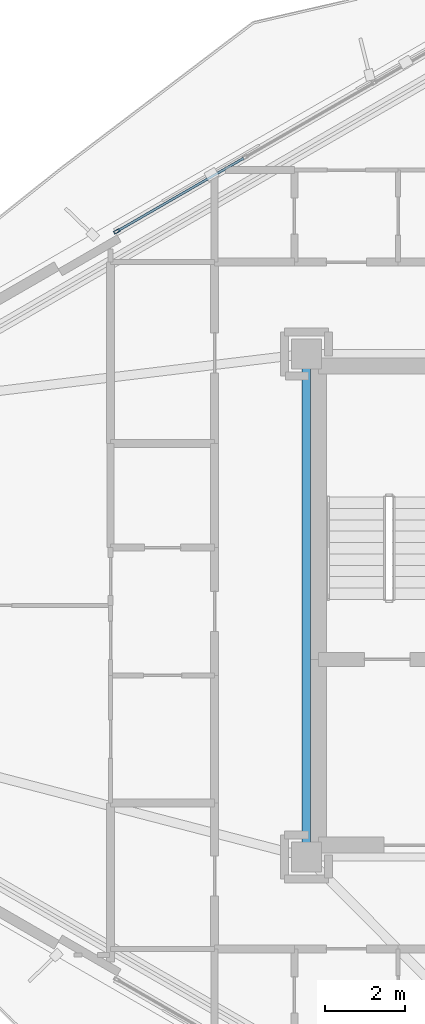
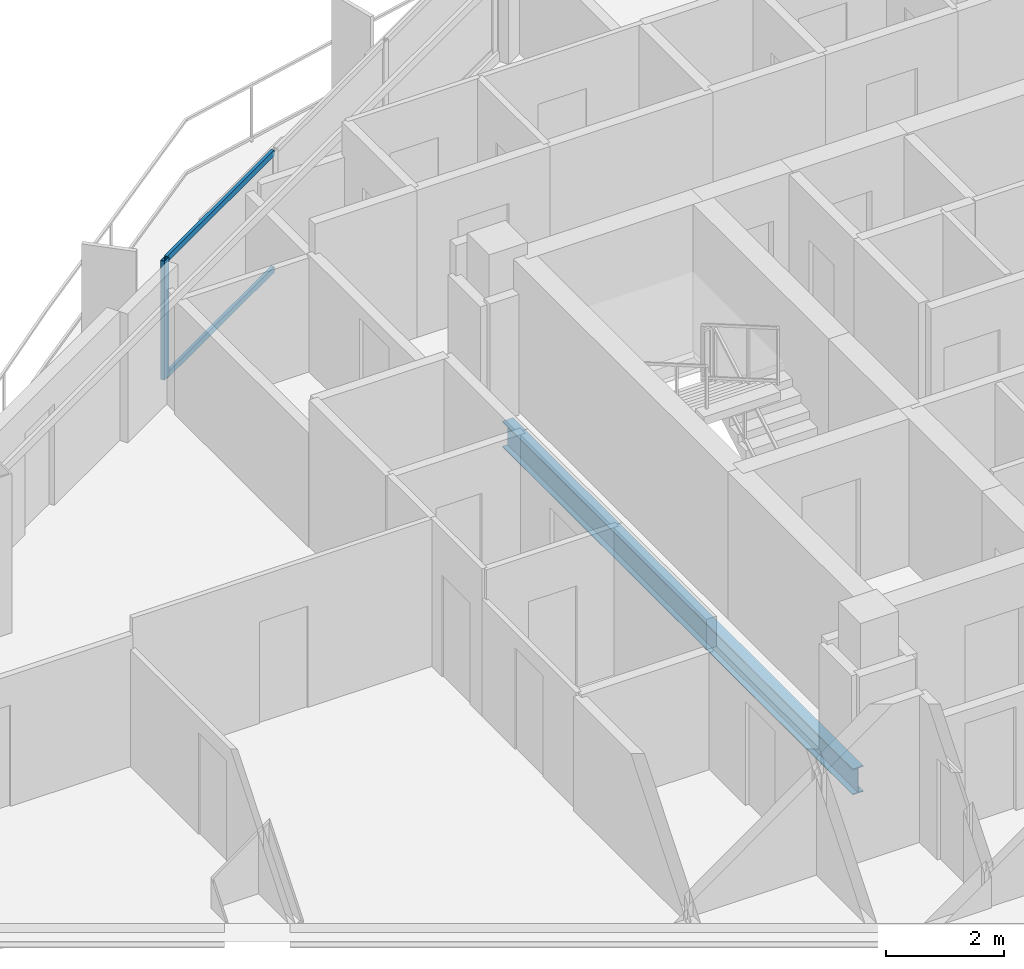
# One storey, part 6 of 23: 3 members, 1 beam, 1 element without a shape of its own.
"""IFC4 building model written with IfcOpenShell, lengths in metres."""

from ifc_helpers import new_model, si_unit, direction, frame, origin, origin_2d, place, context, subcontext, project, spatial, hollow_rectangle, i_section, extrude, material, layer, layer_set, material_profile, profile_set, type_object, element, aggregate, save


model = new_model("IFC4")

# Units and contexts
model_context = context("Model", 3, precision=1e-05, world=origin(), true_north=direction((0.0, 1.0)))
body_context = subcontext(model_context, "Body", "Model", "MODEL_VIEW")
ifc_project = project(units=[si_unit("LENGTHUNIT", "METRE"), si_unit("AREAUNIT", "SQUARE_METRE"), si_unit("VOLUMEUNIT", "CUBIC_METRE"), si_unit("PLANEANGLEUNIT", "RADIAN"), si_unit("MASSUNIT", "GRAM", prefix="KILO")], contexts=[model_context])

# Site, building, storey
site_placement = place(None, origin())
site = spatial("IfcSite", under=ifc_project, at=site_placement, CompositionType="ELEMENT")
building_placement = place(site_placement, origin())
building = spatial("IfcBuilding", under=site, at=building_placement, Name="Mersakhor Tower and Convention Hall", CompositionType="ELEMENT")
storey_placement = place(building_placement, frame((0.0, 0.0, 96.60009765625)))
storey = spatial("IfcBuildingStorey", under=building, at=storey_placement, Name="L26", CompositionType="ELEMENT", Elevation=96.60009765625)

# Beam
ifc_material_1 = material(Name="Steel S355", Category="steel")
ifc_material_profile_1 = material_profile(ifc_material_1, i_section(OverallWidth=0.2099609375, OverallDepth=0.53662109375, WebThickness=0.0107421875, FlangeThickness=0.017333984375, at=origin_2d()), Name="UB 533x210x101")
ifc_profile_set_1 = profile_set([ifc_material_profile_1], Name="Steel S355")
beam_type = type_object("IfcBeamType", Name="BM-FB-533", PredefinedType="BEAM", material=ifc_profile_set_1)
beam_placement = place(storey_placement, frame((21.89990234375, 20.804931640625, -0.5185546875), z_axis=(0.0, 1.0, 0.0), x_axis=(-1.0, 0.0, 0.0)))
element("IfcBeam", 1, at=beam_placement, inside=storey, type_object=beam_type, Name="L26 Core Ring Tie Beam CRB-1", PredefinedType="BEAM", context=body_context, shape_type="SweptSolid", body=[
    extrude(i_section(OverallWidth=0.2099609375, OverallDepth=0.53662109375, WebThickness=0.0107421875, FlangeThickness=0.017333984375, at=origin_2d()), origin(), (0.0, 0.0, 1.0), 11.89013671875),
])

# Curtain wall, members
ifc_material_2 = material(Name="Dark solar low-E aluminium curtain wall", Category="aluminium")
ifc_layer = layer(ifc_material_2, 0.159912109375)
ifc_layer_set = layer_set([ifc_layer], Name="Dark solar low-E aluminium curtain wall")
curtain_wall_type = type_object("IfcCurtainWallType", Name="CW-SYS-01", PredefinedType="USERDEFINED", material=ifc_layer_set)
curtain_wall_placement = place(storey_placement, origin())
curtain_wall = element("IfcCurtainWall", 2, at=curtain_wall_placement, inside=storey, type_object=curtain_wall_type, Name="L26 Dark-Glass Curtain Wall F1-B2", ObjectType="CURTAIN WALL", PredefinedType="USERDEFINED")
ifc_material_3 = material(Name="Anodised aluminium EN AW-6063 T6", Category="aluminium")
ifc_material_profile_2 = material_profile(ifc_material_3, hollow_rectangle(XDim=0.074951171875, YDim=0.14990234375, WallThickness=0.00634765625, at=origin_2d()), Name="RHS 150x75x6.3")
ifc_profile_set_2 = profile_set([ifc_material_profile_2], Name="Anodised aluminium EN AW-6063 T6")
member_type_1 = type_object("IfcMemberType", Name="CWM-150x75", PredefinedType="MULLION", material=ifc_profile_set_2)
member_1_placement = place(storey_placement, frame((17.152587890625, 36.11572265625, 0.199951171875), z_axis=(0.0, 0.0, 1.0), x_axis=(-0.499997904985, 0.866026613339, 0.0)))
member_1 = element("IfcMember", 3, at=member_1_placement, type_object=member_type_1, Name="CW-01 mullion 1", PredefinedType="MULLION", context=body_context, shape_type="SweptSolid", body=[
    extrude(hollow_rectangle(XDim=0.074951171875, YDim=0.14990234375, WallThickness=0.00634765625, at=origin_2d()), origin(), (0.0, 0.0, 1.0), 2.469970703125),
])
ifc_material_4 = material(Name="Anodised aluminium EN AW-6063 T6", Category="aluminium")
ifc_material_profile_3 = material_profile(ifc_material_4, hollow_rectangle(XDim=0.06005859375, YDim=0.1201171875, WallThickness=0.0048828125, at=origin_2d()), Name="RHS 120x60x5")
ifc_profile_set_3 = profile_set([ifc_material_profile_3], Name="Anodised aluminium EN AW-6063 T6")
member_type_2 = type_object("IfcMemberType", Name="CWT-120x60", PredefinedType="USERDEFINED", material=ifc_profile_set_3)
member_2_placement = place(storey_placement, frame((17.18505859375, 36.134521484375, 0.22998046875), z_axis=(0.866045614266, 0.499964992784, 0.0), x_axis=(-0.499964992784, 0.866045614266, 0.0)))
member_2 = element("IfcMember", 4, at=member_2_placement, type_object=member_type_2, Name="CW-01 transom 1.1", ObjectType="TRANSOM", PredefinedType="USERDEFINED", context=body_context, shape_type="SweptSolid", body=[
    extrude(hollow_rectangle(XDim=0.06005859375, YDim=0.1201171875, WallThickness=0.0048828125, at=origin_2d()), origin(), (0.0, 0.0, 1.0), 3.630615234375),
])
member_3_placement = place(storey_placement, frame((17.18505859375, 36.134521484375, 2.639892578125), z_axis=(0.866045614266, 0.499964992784, 0.0), x_axis=(-0.499964992784, 0.866045614266, 0.0)))
member_3 = element("IfcMember", 5, at=member_3_placement, type_object=member_type_2, Name="CW-01 transom 1.2", ObjectType="TRANSOM", PredefinedType="USERDEFINED", context=body_context, shape_type="SweptSolid", body=[
    extrude(hollow_rectangle(XDim=0.06005859375, YDim=0.1201171875, WallThickness=0.0048828125, at=origin_2d()), origin(), (0.0, 0.0, 1.0), 3.630615234375),
])
aggregate(curtain_wall, [member_1, member_2, member_3])

save(model, "model.ifc")
